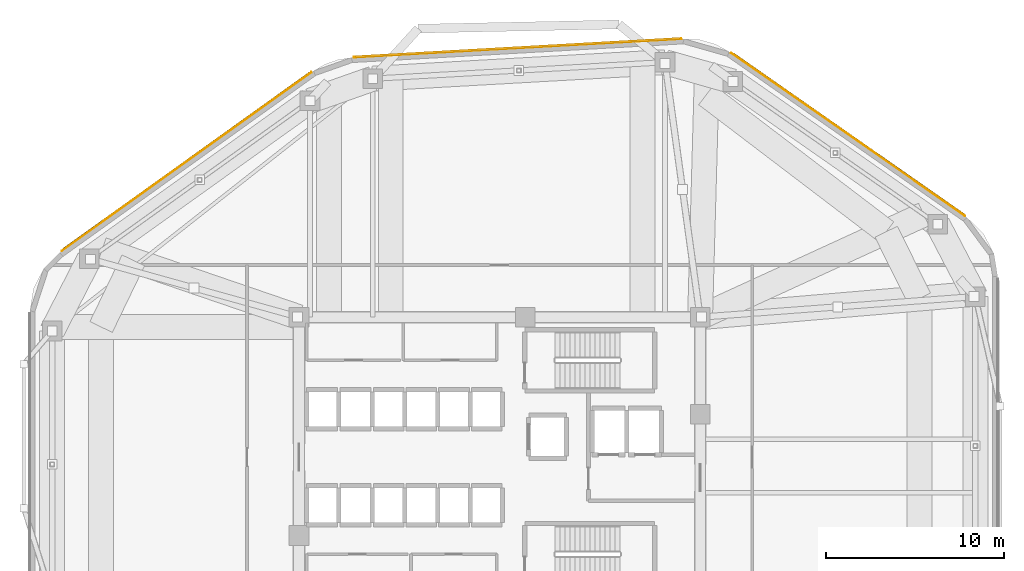
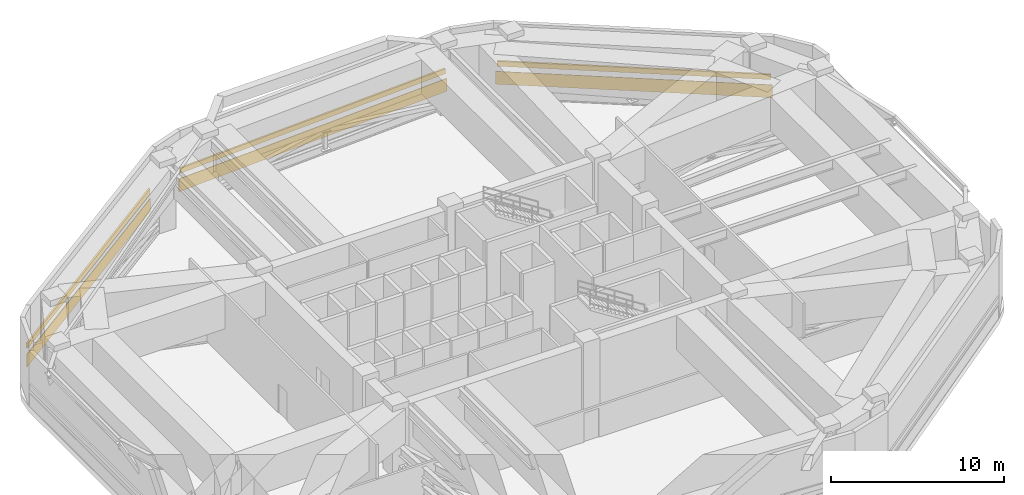
# One storey, part 12 of 12: 3 coverings, 3 shading devices.
"""IFC4 building model written with IfcOpenShell, lengths in metres."""

from ifc_helpers import new_model, si_unit, direction, frame, origin, origin_2d, place, context, subcontext, project, spatial, rectangle, extrude, material, layer, layer_set, type_object, element, save


model = new_model("IFC4")

# Units and contexts
model_context = context("Model", 3, precision=1e-05, world=origin(), true_north=direction((0.0, 1.0)))
body_context = subcontext(model_context, "Body", "Model", "MODEL_VIEW")
ifc_project = project(units=[si_unit("LENGTHUNIT", "METRE"), si_unit("AREAUNIT", "SQUARE_METRE"), si_unit("VOLUMEUNIT", "CUBIC_METRE"), si_unit("PLANEANGLEUNIT", "RADIAN"), si_unit("MASSUNIT", "GRAM", prefix="KILO")], contexts=[model_context])

# Site, building, storey
site_placement = place(None, origin())
site = spatial("IfcSite", under=ifc_project, at=site_placement, CompositionType="ELEMENT")
building_placement = place(site_placement, origin())
building = spatial("IfcBuilding", under=site, at=building_placement, Name="Zulverin Broadcast Headquarters", CompositionType="ELEMENT")
storey_placement = place(building_placement, frame((0.0, 0.0, 120.0)))
storey = spatial("IfcBuildingStorey", under=building, at=storey_placement, Name="L30", CompositionType="ELEMENT", Elevation=120.0)

# Coverings
ifc_material_1 = material(Name="Brushed pale-aluminium rainscreen cladding", Category="aluminium")
ifc_layer = layer(ifc_material_1, 0.0400390625, Name="Brushed pale-aluminium rainscreen cladding", Category="aluminium")
ifc_layer_set = layer_set([ifc_layer], Name="Brushed pale-aluminium rainscreen cladding")
covering_type = type_object("IfcCoveringType", Name="COV-CLAD-MEP", PredefinedType="CLADDING", material=ifc_layer_set)
covering_1_placement = place(storey_placement, frame((56.5966796875, 43.345703125, 0.10009765625), z_axis=(0.0, 0.0, 1.0), x_axis=(-0.820179835216, 0.572105792581, 0.0)))
element("IfcCovering", 1, at=covering_1_placement, inside=storey, type_object=covering_type, Name="L30 Brushed Pale-Aluminium Cladding Band 4", PredefinedType="CLADDING", context=body_context, shape_type="SweptSolid", body=[
    extrude(rectangle(XDim=16.031494140625, YDim=0.0400390625, at=origin_2d()), origin(), (0.0, 0.0, 1.0), 0.89990234375),
])
covering_2_placement = place(storey_placement, frame((38.016845703125, 48.20361328125, 0.10009765625), z_axis=(0.0, 0.0, 1.0), x_axis=(-0.998411399248, -0.056344279679, 0.0)))
element("IfcCovering", 2, at=covering_2_placement, inside=storey, type_object=covering_type, Name="L30 Brushed Pale-Aluminium Cladding Band 5", PredefinedType="CLADDING", context=body_context, shape_type="SweptSolid", body=[
    extrude(rectangle(XDim=18.45458984375, YDim=0.0400390625, at=origin_2d()), origin(), (0.0, 0.0, 1.0), 0.89990234375),
])
covering_3_placement = place(storey_placement, frame((19.406005859375, 41.820556640625, 0.10009765625), z_axis=(0.0, 0.0, 1.0), x_axis=(-0.81310787296, -0.582113036214, 0.0)))
element("IfcCovering", 3, at=covering_3_placement, inside=storey, type_object=covering_type, Name="L30 Brushed Pale-Aluminium Cladding Band 6", PredefinedType="CLADDING", context=body_context, shape_type="SweptSolid", body=[
    extrude(rectangle(XDim=17.2626953125, YDim=0.0400390625, at=origin_2d()), origin(), (0.0, 0.0, 1.0), 0.89990234375),
])

# Shading devices
ifc_material_2 = material(Name="Anodized pale-metal aluminium acoustic louvre", Category="aluminium")
shading_device_type = type_object("IfcShadingDeviceType", Name="SHD-LOUVRE-350", PredefinedType="USERDEFINED", material=ifc_material_2)
shading_device_1_placement = place(storey_placement, frame((56.614013671875, 43.370361328125, 1.375), z_axis=(0.0, 0.0, 1.0), x_axis=(-0.820179835216, 0.572105792581, 0.0)))
element("IfcShadingDevice", 4, at=shading_device_1_placement, inside=storey, type_object=shading_device_type, Name="L30 Plant Room Acoustic Louvre Screen 4", ObjectType="LOUVRE", PredefinedType="USERDEFINED", context=body_context, shape_type="SweptSolid", body=[
    extrude(rectangle(XDim=15.831298828125, YDim=0.1201171875, at=origin_2d()), origin(), (0.0, 0.0, 1.0), 0.35009765625),
])
shading_device_2_placement = place(storey_placement, frame((38.01513671875, 48.233642578125, 1.375), z_axis=(0.0, 0.0, 1.0), x_axis=(-0.998411399248, -0.056344279679, 0.0)))
element("IfcShadingDevice", 5, at=shading_device_2_placement, inside=storey, type_object=shading_device_type, Name="L30 Plant Room Acoustic Louvre Screen 5", ObjectType="LOUVRE", PredefinedType="USERDEFINED", context=body_context, shape_type="SweptSolid", body=[
    extrude(rectangle(XDim=18.254638671875, YDim=0.1201171875, at=origin_2d()), origin(), (0.0, 0.0, 1.0), 0.35009765625),
])
shading_device_3_placement = place(storey_placement, frame((19.388427734375, 41.844970703125, 1.375), z_axis=(0.0, 0.0, 1.0), x_axis=(-0.81310787296, -0.582113036214, 0.0)))
element("IfcShadingDevice", 6, at=shading_device_3_placement, inside=storey, type_object=shading_device_type, Name="L30 Plant Room Acoustic Louvre Screen 6", ObjectType="LOUVRE", PredefinedType="USERDEFINED", context=body_context, shape_type="SweptSolid", body=[
    extrude(rectangle(XDim=17.062744140625, YDim=0.1201171875, at=origin_2d()), origin(), (0.0, 0.0, 1.0), 0.35009765625),
])

save(model, "model.ifc")
